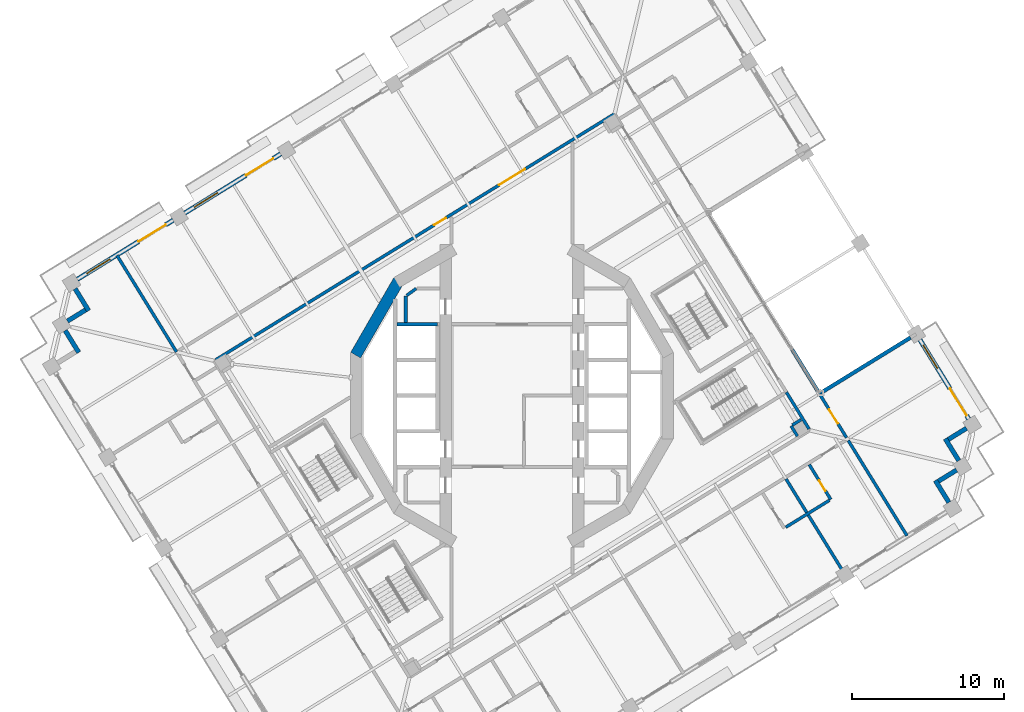
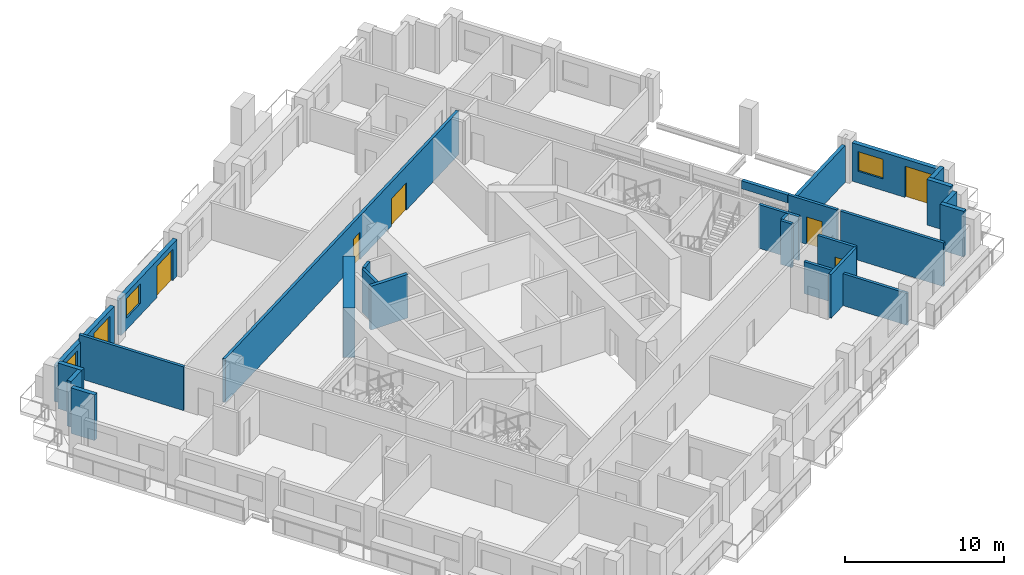
# One storey, part 10 of 21: 26 walls, 7 doors, 3 windows, 10 openings.
"""IFC4 building model written with IfcOpenShell, lengths in metres."""

from ifc_helpers import new_model, si_unit, direction, frame, frame_2d, origin, place, context, subcontext, project, spatial, rectangle, extrude, material, layer, layer_set, type_object, element, fill, save


model = new_model("IFC4")

# Units and contexts
model_context = context("Model", 3, precision=1e-05, world=origin(), true_north=direction((0.0, 1.0)))
body_context = subcontext(model_context, "Body", "Model", "MODEL_VIEW")
ifc_project = project(units=[si_unit("LENGTHUNIT", "METRE"), si_unit("AREAUNIT", "SQUARE_METRE"), si_unit("VOLUMEUNIT", "CUBIC_METRE"), si_unit("PLANEANGLEUNIT", "RADIAN"), si_unit("MASSUNIT", "GRAM", prefix="KILO")], contexts=[model_context])

# Site, building, storey
site_placement = place(None, origin())
site = spatial("IfcSite", under=ifc_project, at=site_placement, CompositionType="ELEMENT")
building_placement = place(site_placement, origin())
building = spatial("IfcBuilding", under=site, at=building_placement, Name="Cantera Rosa Tower", CompositionType="ELEMENT")
storey_placement = place(building_placement, frame((0.0, 0.0, 185.60009765625)))
storey = spatial("IfcBuildingStorey", under=building, at=storey_placement, Name="L41", CompositionType="ELEMENT", Elevation=185.60009765625)

# Wall, openings, doors
ifc_material_1 = material(Name="Gypsum board partition")
ifc_layer_1 = layer(ifc_material_1, 0.199951171875)
ifc_layer_set_1 = layer_set([ifc_layer_1], Name="CORRIDOR WALL 200 H3350")
wall_type_1 = type_object("IfcWallType", Name="CORRIDOR WALL 200 H3350", PredefinedType="PARTITIONING", material=ifc_layer_set_1)
wall_1_placement = place(storey_placement, frame((6.76123046875, 18.563232421875, 0.0), z_axis=(0.0, 0.0, 1.0), x_axis=(-0.851115762051, -0.524978056292, 0.0)))
wall_1 = element("IfcWall", 1, at=wall_1_placement, inside=storey, type_object=wall_type_1, Name="CORRIDOR WALL L41-075", PredefinedType="PARTITIONING", context=body_context, shape_type="SweptSolid", body=[
    extrude(rectangle(XDim=30.879638671875, YDim=0.199951171875, at=frame_2d((15.43994140625, 0.0))), origin(), (0.0, 0.0, 1.0), 3.349853515625),
])
opening_1_placement = place(wall_1_placement, frame((13.066650390625, 0.0, 0.0)))
opening_1 = element("IfcOpeningElement", 2, at=opening_1_placement, cuts=wall_1, Name="Opening L41-007", PredefinedType="OPENING", context=body_context, shape_type="SweptSolid", body=[
    extrude(rectangle(XDim=0.89990234375, YDim=2.10009765625, at=frame_2d((0.449951171875, 1.050048828125))), frame((0.0, 0.10986328125, 0.0), z_axis=(0.0, -1.0, 0.0), x_axis=(1.0, 0.0, 0.0)), (0.0, 0.0, 1.0), 0.219970703125),
])
opening_2_placement = place(wall_1_placement, frame((6.944091796875, 0.0, 0.0)))
opening_2 = element("IfcOpeningElement", 3, at=opening_2_placement, cuts=wall_1, Name="Opening L41-011", PredefinedType="OPENING", context=body_context, shape_type="SweptSolid", body=[
    extrude(rectangle(XDim=2.0, YDim=2.10009765625, at=frame_2d((1.0, 1.050048828125))), frame((0.0, 0.10986328125, 0.0), z_axis=(0.0, -1.0, 0.0), x_axis=(1.0, 0.0, 0.0)), (0.0, 0.0, 1.0), 0.219970703125),
])
ifc_material_2 = material(Name="Steel S355J2 (EN 10025-2)", Category="steel")
door_type_1 = type_object("IfcDoorType", Name="LOBBY SCREEN DOOR 2000x2100", OperationType="NOTDEFINED", PredefinedType="DOOR", material=ifc_material_2)
door_1_placement = place(opening_2_placement, origin())
door_1 = element("IfcDoor", 4, at=door_1_placement, inside=storey, type_object=door_type_1, Name="DOOR L41-011", OperationType="NOTDEFINED", OverallHeight=2.10009765625, OverallWidth=2.0, PredefinedType="DOOR", context=body_context, shape_type="SweptSolid", body=[
    extrude(rectangle(XDim=2.0, YDim=2.10009765625, at=frame_2d((1.0, 1.050048828125))), frame((0.0, 0.02490234375, 0.0), z_axis=(0.0, -1.0, 0.0), x_axis=(1.0, 0.0, 0.0)), (0.0, 0.0, 1.0), 0.050048828125),
])
fill(opening_2, door_1)
ifc_material_3 = material(Name="Timber door leaf", Category="wood")
door_type_2 = type_object("IfcDoorType", Name="SERVICE DOOR 900x2100", OperationType="NOTDEFINED", PredefinedType="DOOR", material=ifc_material_3)
door_2_placement = place(opening_1_placement, origin())
door_2 = element("IfcDoor", 5, at=door_2_placement, inside=storey, type_object=door_type_2, Name="DOOR L41-007", OperationType="NOTDEFINED", OverallHeight=2.10009765625, OverallWidth=0.89990234375, PredefinedType="DOOR", context=body_context, shape_type="SweptSolid", body=[
    extrude(rectangle(XDim=0.89990234375, YDim=2.10009765625, at=frame_2d((0.449951171875, 1.050048828125))), frame((0.0, 0.02490234375, 0.0), z_axis=(0.0, -1.0, 0.0), x_axis=(1.0, 0.0, 0.0)), (0.0, 0.0, 1.0), 0.050048828125),
])
fill(opening_1, door_2)

# Wall
wall_2_placement = place(storey_placement, frame((19.57080078125, -2.203857421875, 0.0), z_axis=(0.0, 0.0, 1.0), x_axis=(-0.525038681266, 0.851078364885, 0.0)))
element("IfcWall", 6, at=wall_2_placement, inside=storey, type_object=wall_type_1, Name="CORRIDOR WALL L41-109", PredefinedType="PARTITIONING", context=body_context, shape_type="SweptSolid", body=[
    extrude(rectangle(XDim=2.849853515625, YDim=0.199951171875, at=frame_2d((1.4248046875, 0.0))), origin(), (0.0, 0.0, 1.0), 3.349853515625),
])

# Wall, opening, door
wall_3_placement = place(storey_placement, frame((22.037109375, -2.77392578125, 0.0), z_axis=(0.0, 0.0, 1.0), x_axis=(-0.524928009261, 0.851146629608, 0.0)))
wall_3 = element("IfcWall", 7, at=wall_3_placement, inside=storey, type_object=wall_type_1, Name="CORRIDOR WALL L41-112", PredefinedType="PARTITIONING", context=body_context, shape_type="SweptSolid", body=[
    extrude(rectangle(XDim=3.52490234375, YDim=0.199951171875, at=frame_2d((1.762451171875, 0.0))), origin(), (0.0, 0.0, 1.0), 3.349853515625),
])
opening_3_placement = place(wall_3_placement, frame((1.090087890625, 0.0, 0.0)))
opening_3 = element("IfcOpeningElement", 8, at=opening_3_placement, cuts=wall_3, Name="Opening L41-023", PredefinedType="OPENING", context=body_context, shape_type="SweptSolid", body=[
    extrude(rectangle(XDim=1.10009765625, YDim=2.10009765625, at=frame_2d((0.550048828125, 1.050048828125))), frame((0.0, 0.10986328125, 0.0), z_axis=(0.0, -1.0, 0.0), x_axis=(1.0, 0.0, 0.0)), (0.0, 0.0, 1.0), 0.219970703125),
])
ifc_material_4 = material(Name="Timber door leaf", Category="wood")
door_type_3 = type_object("IfcDoorType", Name="ROOM DOOR 1100x2100", OperationType="NOTDEFINED", PredefinedType="DOOR", material=ifc_material_4)
door_3_placement = place(opening_3_placement, origin())
door_3 = element("IfcDoor", 9, at=door_3_placement, inside=storey, type_object=door_type_3, Name="DOOR L41-023", OperationType="NOTDEFINED", OverallHeight=2.10009765625, OverallWidth=1.10009765625, PredefinedType="DOOR", context=body_context, shape_type="SweptSolid", body=[
    extrude(rectangle(XDim=1.10009765625, YDim=2.10009765625, at=frame_2d((0.550048828125, 1.050048828125))), frame((0.0, 0.02490234375, 0.0), z_axis=(0.0, -1.0, 0.0), x_axis=(1.0, 0.0, 0.0)), (0.0, 0.0, 1.0), 0.050048828125),
])
fill(opening_3, door_3)

# Walls
ifc_material_5 = material(Name="Hollow clay masonry with cantera stone cladding", Category="masonry")
ifc_layer_2 = layer(ifc_material_5, 0.300048828125)
ifc_layer_set_2 = layer_set([ifc_layer_2], Name="EW-LOGGIA 300")
wall_type_2 = type_object("IfcWallType", Name="EW-LOGGIA 300", PredefinedType="SOLIDWALL", material=ifc_layer_set_2)
wall_4_placement = place(storey_placement, frame((-28.7802734375, 7.0390625, 0.0), z_axis=(0.0, 0.0, 1.0), x_axis=(0.524994468487, -0.851105638601, 0.0)))
element("IfcWall", 10, at=wall_4_placement, inside=storey, type_object=wall_type_2, Name="EN-L41-W13a", PredefinedType="SOLIDWALL", context=body_context, shape_type="SweptSolid", body=[
    extrude(rectangle(XDim=1.7001953125, YDim=0.300048828125, at=frame_2d((0.85009765625, 0.0))), origin(), (0.0, 0.0, 1.0), 3.5),
])
wall_5_placement = place(storey_placement, frame((-28.09423828125, 5.64111328125, 0.0), z_axis=(0.0, 0.0, 1.0), x_axis=(-0.851040987269, -0.525099264891, 0.0)))
element("IfcWall", 11, at=wall_5_placement, inside=storey, type_object=wall_type_2, Name="EN-L41-W13b", PredefinedType="SOLIDWALL", context=body_context, shape_type="SweptSolid", body=[
    extrude(rectangle(XDim=1.39990234375, YDim=0.300048828125, at=frame_2d((0.699951171875, 0.0))), origin(), (0.0, 0.0, 1.0), 3.5),
])
for number, where, z_axis, x_axis, name in (
    (12, (-29.4326171875, 4.286865234375, 0.0), (0.0, 0.0, 1.0), (0.524994468487, -0.851105638601, 0.0), "EN-L41-W14a"),
    (13, (28.7802734375, -7.0390625, 0.0), (0.0, 0.0, 1.0), (-0.524994468487, 0.851105638601, 0.0), "EN-L41-W27a"),
):
    element("IfcWall", number, at=place(storey_placement, frame(where, z_axis=z_axis, x_axis=x_axis)), inside=storey, type_object=wall_type_2, Name=name, PredefinedType="SOLIDWALL", context=body_context, shape_type="SweptSolid", body=[
        extrude(rectangle(XDim=1.7001953125, YDim=0.300048828125, at=frame_2d((0.85009765625, 0.0))), origin(), (0.0, 0.0, 1.0), 3.5),
    ])
wall_6_placement = place(storey_placement, frame((28.09423828125, -5.64111328125, 0.0), z_axis=(0.0, 0.0, 1.0), x_axis=(0.851040987269, 0.525099264891, 0.0)))
element("IfcWall", 14, at=wall_6_placement, inside=storey, type_object=wall_type_2, Name="EN-L41-W27b", PredefinedType="SOLIDWALL", context=body_context, shape_type="SweptSolid", body=[
    extrude(rectangle(XDim=1.39990234375, YDim=0.300048828125, at=frame_2d((0.699951171875, 0.0))), origin(), (0.0, 0.0, 1.0), 3.5),
])
wall_7_placement = place(storey_placement, frame((29.4326171875, -4.286865234375, 0.0), z_axis=(0.0, 0.0, 1.0), x_axis=(-0.524994468487, 0.851105638601, 0.0)))
element("IfcWall", 15, at=wall_7_placement, inside=storey, type_object=wall_type_2, Name="EN-L41-W28a", PredefinedType="SOLIDWALL", context=body_context, shape_type="SweptSolid", body=[
    extrude(rectangle(XDim=1.7001953125, YDim=0.300048828125, at=frame_2d((0.85009765625, 0.0))), origin(), (0.0, 0.0, 1.0), 3.5),
])
wall_8_placement = place(storey_placement, frame((28.74658203125, -2.888916015625, 0.0), z_axis=(0.0, 0.0, 1.0), x_axis=(0.851040987269, 0.525099264891, 0.0)))
element("IfcWall", 16, at=wall_8_placement, inside=storey, type_object=wall_type_2, Name="EN-L41-W28b", PredefinedType="SOLIDWALL", context=body_context, shape_type="SweptSolid", body=[
    extrude(rectangle(XDim=1.39990234375, YDim=0.300048828125, at=frame_2d((0.699951171875, 0.0))), origin(), (0.0, 0.0, 1.0), 3.5),
])

# Wall, openings, window, door
ifc_material_6 = material(Name="Hollow clay masonry with cantera stone cladding", Category="masonry")
ifc_layer_3 = layer(ifc_material_6, 0.300048828125)
ifc_layer_set_3 = layer_set([ifc_layer_3], Name="EW-LOGGIA 300 H2820")
wall_type_3 = type_object("IfcWallType", Name="EW-LOGGIA 300 H2820", PredefinedType="SOLIDWALL", material=ifc_layer_set_3)
wall_9_placement = place(storey_placement, frame((-15.23681640625, 15.92138671875, 0.0), z_axis=(0.0, 0.0, 1.0), x_axis=(-0.85112578684, -0.524961803349, 0.0)))
wall_9 = element("IfcWall", 17, at=wall_9_placement, inside=storey, type_object=wall_type_3, Name="EN-L41-W11", PredefinedType="SOLIDWALL", context=body_context, shape_type="SweptSolid", body=[
    extrude(rectangle(XDim=7.420166015625, YDim=0.300048828125, at=frame_2d((3.7099609375, 0.0))), origin(), (0.0, 0.0, 1.0), 2.81982421875),
])
opening_4_placement = place(wall_9_placement, frame((0.580078125, 0.0, 0.0)))
opening_4 = element("IfcOpeningElement", 18, at=opening_4_placement, cuts=wall_9, Name="Opening L41-TD13", PredefinedType="OPENING", context=body_context, shape_type="SweptSolid", body=[
    extrude(rectangle(XDim=2.10009765625, YDim=2.39990234375, at=frame_2d((1.050048828125, 1.199951171875))), frame((0.0, 0.159912109375, 0.0), z_axis=(0.0, -1.0, 0.0), x_axis=(1.0, 0.0, 0.0)), (0.0, 0.0, 1.0), 0.320068359375),
])
opening_5_placement = place(wall_9_placement, frame((4.889892578125, 0.0, 0.89990234375)))
opening_5 = element("IfcOpeningElement", 19, at=opening_5_placement, cuts=wall_9, Name="Opening L41-W14", PredefinedType="OPENING", context=body_context, shape_type="SweptSolid", body=[
    extrude(rectangle(XDim=1.800048828125, YDim=1.5, at=frame_2d((0.89990234375, 0.75))), frame((0.0, 0.159912109375, 0.0), z_axis=(0.0, -1.0, 0.0), x_axis=(1.0, 0.0, 0.0)), (0.0, 0.0, 1.0), 0.320068359375),
])
ifc_material_7 = material(Name="Aluminium frame with clear glass", Category="aluminium")
window_type = type_object("IfcWindowType", Name="Hotel room window 1800x1500", PartitioningType="DOUBLE_PANEL_VERTICAL", PredefinedType="WINDOW", material=ifc_material_7)
window_1_placement = place(opening_5_placement, origin())
window_1 = element("IfcWindow", 20, at=window_1_placement, inside=storey, type_object=window_type, Name="WINDOW L41-W14", OverallHeight=1.5, OverallWidth=1.800048828125, PartitioningType="SINGLE_PANEL", PredefinedType="WINDOW", context=body_context, shape_type="SweptSolid", body=[
    extrude(rectangle(XDim=1.800048828125, YDim=1.5, at=frame_2d((0.89990234375, 0.75))), frame((0.0, 0.030029296875, 0.0), z_axis=(0.0, -1.0, 0.0), x_axis=(1.0, 0.0, 0.0)), (0.0, 0.0, 1.0), 0.06005859375),
])
fill(opening_5, window_1)
ifc_material_8 = material(Name="Aluminium frame with clear glass", Category="aluminium")
door_type_4 = type_object("IfcDoorType", Name="TD-H 2100x2400", OperationType="NOTDEFINED", PredefinedType="DOOR", material=ifc_material_8)
door_4_placement = place(opening_4_placement, origin())
door_4 = element("IfcDoor", 21, at=door_4_placement, inside=storey, type_object=door_type_4, Name="LOGGIA DOOR L41-TD13", OperationType="SLIDING_TO_LEFT", OverallHeight=2.39990234375, OverallWidth=2.10009765625, PredefinedType="DOOR", context=body_context, shape_type="SweptSolid", body=[
    extrude(rectangle(XDim=2.10009765625, YDim=2.39990234375, at=frame_2d((1.050048828125, 1.199951171875))), frame((0.0, 0.02490234375, 0.0), z_axis=(0.0, -1.0, 0.0), x_axis=(1.0, 0.0, 0.0)), (0.0, 0.0, 1.0), 0.050048828125),
])
fill(opening_4, door_4)

wall_10_placement = place(storey_placement, frame((-22.318115234375, 11.5537109375, 0.0), z_axis=(0.0, 0.0, 1.0), x_axis=(-0.851111085575, -0.524985637909, 0.0)))
wall_10 = element("IfcWall", 22, at=wall_10_placement, inside=storey, type_object=wall_type_3, Name="EN-L41-W12", PredefinedType="SOLIDWALL", context=body_context, shape_type="SweptSolid", body=[
    extrude(rectangle(XDim=7.420166015625, YDim=0.300048828125, at=frame_2d((3.7099609375, 0.0))), origin(), (0.0, 0.0, 1.0), 2.81982421875),
])
opening_6_placement = place(wall_10_placement, frame((0.580078125, 0.0, 0.0)))
opening_6 = element("IfcOpeningElement", 23, at=opening_6_placement, cuts=wall_10, Name="Opening L41-TD15", PredefinedType="OPENING", context=body_context, shape_type="SweptSolid", body=[
    extrude(rectangle(XDim=2.10009765625, YDim=2.39990234375, at=frame_2d((1.050048828125, 1.199951171875))), frame((0.0, 0.159912109375, 0.0), z_axis=(0.0, -1.0, 0.0), x_axis=(1.0, 0.0, 0.0)), (0.0, 0.0, 1.0), 0.320068359375),
])
opening_7_placement = place(wall_10_placement, frame((4.889892578125, 0.0, 0.89990234375)))
opening_7 = element("IfcOpeningElement", 24, at=opening_7_placement, cuts=wall_10, Name="Opening L41-W16", PredefinedType="OPENING", context=body_context, shape_type="SweptSolid", body=[
    extrude(rectangle(XDim=1.800048828125, YDim=1.5, at=frame_2d((0.89990234375, 0.75))), frame((0.0, 0.159912109375, 0.0), z_axis=(0.0, -1.0, 0.0), x_axis=(1.0, 0.0, 0.0)), (0.0, 0.0, 1.0), 0.320068359375),
])
window_2_placement = place(opening_7_placement, origin())
window_2 = element("IfcWindow", 25, at=window_2_placement, inside=storey, type_object=window_type, Name="WINDOW L41-W16", OverallHeight=1.5, OverallWidth=1.800048828125, PartitioningType="SINGLE_PANEL", PredefinedType="WINDOW", context=body_context, shape_type="SweptSolid", body=[
    extrude(rectangle(XDim=1.800048828125, YDim=1.5, at=frame_2d((0.89990234375, 0.75))), frame((0.0, 0.030029296875, 0.0), z_axis=(0.0, -1.0, 0.0), x_axis=(1.0, 0.0, 0.0)), (0.0, 0.0, 1.0), 0.06005859375),
])
fill(opening_7, window_2)
door_5_placement = place(opening_6_placement, origin())
door_5 = element("IfcDoor", 26, at=door_5_placement, inside=storey, type_object=door_type_4, Name="LOGGIA DOOR L41-TD15", OperationType="SLIDING_TO_LEFT", OverallHeight=2.39990234375, OverallWidth=2.10009765625, PredefinedType="DOOR", context=body_context, shape_type="SweptSolid", body=[
    extrude(rectangle(XDim=2.10009765625, YDim=2.39990234375, at=frame_2d((1.050048828125, 1.199951171875))), frame((0.0, 0.02490234375, 0.0), z_axis=(0.0, -1.0, 0.0), x_axis=(1.0, 0.0, 0.0)), (0.0, 0.0, 1.0), 0.050048828125),
])
fill(opening_6, door_5)

ifc_material_9 = material(Name="Hollow clay masonry with cantera stone cladding", Category="masonry")
ifc_layer_4 = layer(ifc_material_9, 0.300048828125)
ifc_layer_set_4 = layer_set([ifc_layer_4], Name="EW-LOGGIA 300 H2940")
wall_type_4 = type_object("IfcWallType", Name="EW-LOGGIA 300 H2940", PredefinedType="SOLIDWALL", material=ifc_layer_set_4)
wall_11_placement = place(storey_placement, frame((30.084716796875, -1.53466796875, 0.0), z_axis=(0.0, 0.0, 1.0), x_axis=(-0.524987447654, 0.851109969279, 0.0)))
wall_11 = element("IfcWall", 27, at=wall_11_placement, inside=storey, type_object=wall_type_4, Name="EN-L41-W01", PredefinedType="SOLIDWALL", context=body_context, shape_type="SweptSolid", body=[
    extrude(rectangle(XDim=6.119873046875, YDim=0.300048828125, at=frame_2d((3.06005859375, 0.0))), origin(), (0.0, 0.0, 1.0), 2.93994140625),
])
opening_8_placement = place(wall_11_placement, frame((0.2548828125, 0.0, 0.0)))
opening_8 = element("IfcOpeningElement", 28, at=opening_8_placement, cuts=wall_11, Name="Opening L41-TD01", PredefinedType="OPENING", context=body_context, shape_type="SweptSolid", body=[
    extrude(rectangle(XDim=2.10009765625, YDim=2.39990234375, at=frame_2d((1.050048828125, 1.199951171875))), frame((0.0, 0.159912109375, 0.0), z_axis=(0.0, -1.0, 0.0), x_axis=(1.0, 0.0, 0.0)), (0.0, 0.0, 1.0), 0.320068359375),
])
opening_9_placement = place(wall_11_placement, frame((3.9150390625, 0.0, 0.89990234375)))
opening_9 = element("IfcOpeningElement", 29, at=opening_9_placement, cuts=wall_11, Name="Opening L41-W02", PredefinedType="OPENING", context=body_context, shape_type="SweptSolid", body=[
    extrude(rectangle(XDim=1.800048828125, YDim=1.5, at=frame_2d((0.89990234375, 0.75))), frame((0.0, 0.159912109375, 0.0), z_axis=(0.0, -1.0, 0.0), x_axis=(1.0, 0.0, 0.0)), (0.0, 0.0, 1.0), 0.320068359375),
])
window_3_placement = place(opening_9_placement, origin())
window_3 = element("IfcWindow", 30, at=window_3_placement, inside=storey, type_object=window_type, Name="WINDOW L41-W02", OverallHeight=1.5, OverallWidth=1.800048828125, PartitioningType="SINGLE_PANEL", PredefinedType="WINDOW", context=body_context, shape_type="SweptSolid", body=[
    extrude(rectangle(XDim=1.800048828125, YDim=1.5, at=frame_2d((0.89990234375, 0.75))), frame((0.0, 0.030029296875, 0.0), z_axis=(0.0, -1.0, 0.0), x_axis=(1.0, 0.0, 0.0)), (0.0, 0.0, 1.0), 0.06005859375),
])
fill(opening_9, window_3)
door_6_placement = place(opening_8_placement, origin())
door_6 = element("IfcDoor", 31, at=door_6_placement, inside=storey, type_object=door_type_4, Name="LOGGIA DOOR L41-TD01", OperationType="SLIDING_TO_LEFT", OverallHeight=2.39990234375, OverallWidth=2.10009765625, PredefinedType="DOOR", context=body_context, shape_type="SweptSolid", body=[
    extrude(rectangle(XDim=2.10009765625, YDim=2.39990234375, at=frame_2d((1.050048828125, 1.199951171875))), frame((0.0, 0.02490234375, 0.0), z_axis=(0.0, -1.0, 0.0), x_axis=(1.0, 0.0, 0.0)), (0.0, 0.0, 1.0), 0.050048828125),
])
fill(opening_8, door_6)

# Walls
ifc_material_10 = material(Name="Concrete C40/50", Category="concrete")
ifc_layer_5 = layer(ifc_material_10, 0.25)
ifc_layer_set_5 = layer_set([ifc_layer_5], Name="EW-POCKET CHEEK 250 H2820")
wall_type_5 = type_object("IfcWallType", Name="EW-POCKET CHEEK 250 H2820", PredefinedType="SOLIDWALL", material=ifc_layer_set_5)
wall_12_placement = place(storey_placement, frame((26.252685546875, 3.82080078125, 0.0), z_axis=(0.0, 0.0, 1.0), x_axis=(-0.851127184208, -0.524959537777, 0.0)))
element("IfcWall", 32, at=wall_12_placement, inside=storey, type_object=wall_type_5, Name="POCKET CHEEK A L41", PredefinedType="SOLIDWALL", context=body_context, shape_type="SweptSolid", body=[
    extrude(rectangle(XDim=6.949951171875, YDim=0.25, at=frame_2d((3.47509765625, 0.0))), origin(), (0.0, 0.0, 1.0), 2.81982421875),
])
ifc_material_11 = material(Name="Hollow clay masonry with cantera stone cladding", Category="masonry")
ifc_layer_6 = layer(ifc_material_11, 0.25)
ifc_layer_set_6 = layer_set([ifc_layer_6], Name="EW-POCKET REAR 250")
wall_type_6 = type_object("IfcWallType", Name="EW-POCKET REAR 250", PredefinedType="SOLIDWALL", material=ifc_layer_set_6)
wall_13_placement = place(storey_placement, frame((20.186767578125, 0.226318359375, 2.741943359375), z_axis=(0.0, 0.0, 1.0), x_axis=(-0.524983741504, 0.85111225532, 0.0)))
element("IfcWall", 33, at=wall_13_placement, inside=storey, type_object=wall_type_6, Name="POCKET SPANDREL L41-1", PredefinedType="SOLIDWALL", context=body_context, shape_type="SweptSolid", body=[
    extrude(rectangle(XDim=3.287841796875, YDim=0.25, at=frame_2d((1.64404296875, 0.0))), origin(), (0.0, 0.0, 1.0), 0.60791015625),
])
ifc_material_12 = material(Name="Gypsum board partition")
ifc_layer_7 = layer(ifc_material_12, 0.199951171875)
ifc_layer_set_7 = layer_set([ifc_layer_7], Name="PARTITION 200 H3350")
wall_type_7 = type_object("IfcWallType", Name="PARTITION 200 H3350", PredefinedType="PARTITIONING", material=ifc_layer_set_7)
wall_14_placement = place(storey_placement, frame((-22.10009765625, 2.876220703125, 0.0), z_axis=(0.0, 0.0, 1.0), x_axis=(-0.524992491226, 0.851106858247, 0.0)))
element("IfcWall", 34, at=wall_14_placement, inside=storey, type_object=wall_type_7, Name="PARTITION L41-002", PredefinedType="PARTITIONING", context=body_context, shape_type="SweptSolid", body=[
    extrude(rectangle(XDim=7.469970703125, YDim=0.199951171875, at=frame_2d((3.73486328125, 0.0))), origin(), (0.0, 0.0, 1.0), 3.349853515625),
])
wall_15_placement = place(storey_placement, frame((-7.0, 4.824951171875, 0.0), z_axis=(0.0, 0.0, 1.0), x_axis=(0.0, 1.0, 0.0)))
element("IfcWall", 35, at=wall_15_placement, inside=storey, type_object=wall_type_7, Name="PARTITION L41-036", PredefinedType="PARTITIONING", context=body_context, shape_type="SweptSolid", body=[
    extrude(rectangle(XDim=1.72509765625, YDim=0.199951171875, at=frame_2d((0.862548828125, 0.0))), origin(), (0.0, 0.0, 1.0), 3.349853515625),
])
wall_16_placement = place(storey_placement, frame((-6.935302734375, 6.59716796875, 0.0), z_axis=(0.0, 0.0, 1.0), x_axis=(0.808227862651, 0.588869868506, 0.0)))
element("IfcWall", 36, at=wall_16_placement, inside=storey, type_object=wall_type_7, Name="PARTITION L41-037", PredefinedType="PARTITIONING", context=body_context, shape_type="SweptSolid", body=[
    extrude(rectangle(XDim=0.76904296875, YDim=0.199951171875, at=frame_2d((0.384521484375, 0.0))), origin(), (0.0, 0.0, 1.0), 3.349853515625),
])
wall_17_placement = place(storey_placement, frame((18.384765625, -1.99560546875, 0.0), z_axis=(0.0, 0.0, 1.0), x_axis=(0.524914498045, -0.851154962238, 0.0)))
element("IfcWall", 37, at=wall_17_placement, inside=storey, type_object=wall_type_7, Name="PARTITION L41-105", PredefinedType="PARTITIONING", context=body_context, shape_type="SweptSolid", body=[
    extrude(rectangle(XDim=0.800048828125, YDim=0.199951171875, at=frame_2d((0.39990234375, 0.0))), origin(), (0.0, 0.0, 1.0), 3.349853515625),
])
wall_18_placement = place(storey_placement, frame((19.048583984375, -1.5859375, 0.0), z_axis=(0.0, 0.0, 1.0), x_axis=(-0.850930166337, -0.525278832638, 0.0)))
element("IfcWall", 38, at=wall_18_placement, inside=storey, type_object=wall_type_7, Name="PARTITION L41-106", PredefinedType="PARTITIONING", context=body_context, shape_type="SweptSolid", body=[
    extrude(rectangle(XDim=0.679931640625, YDim=0.199951171875, at=frame_2d((0.33984375, 0.0))), origin(), (0.0, 0.0, 1.0), 3.349853515625),
])

# Wall, opening, door
wall_19_placement = place(storey_placement, frame((19.58251953125, -4.546630859375, 0.0), z_axis=(0.0, 0.0, 1.0), x_axis=(0.524909448059, -0.851158076586, 0.0)))
wall_19 = element("IfcWall", 39, at=wall_19_placement, inside=storey, type_object=wall_type_7, Name="PARTITION L41-108", PredefinedType="PARTITIONING", context=body_context, shape_type="SweptSolid", body=[
    extrude(rectangle(XDim=2.699951171875, YDim=0.199951171875, at=frame_2d((1.35009765625, 0.0))), origin(), (0.0, 0.0, 1.0), 3.349853515625),
])
opening_10_placement = place(wall_19_placement, frame((1.236083984375, 0.0, 0.0)))
opening_10 = element("IfcOpeningElement", 40, at=opening_10_placement, cuts=wall_19, Name="Opening L41-042", PredefinedType="OPENING", context=body_context, shape_type="SweptSolid", body=[
    extrude(rectangle(XDim=0.800048828125, YDim=2.10009765625, at=frame_2d((0.39990234375, 1.050048828125))), frame((0.0, 0.10986328125, 0.0), z_axis=(0.0, -1.0, 0.0), x_axis=(1.0, 0.0, 0.0)), (0.0, 0.0, 1.0), 0.219970703125),
])
ifc_material_13 = material(Name="Timber door leaf", Category="wood")
door_type_5 = type_object("IfcDoorType", Name="BATHROOM DOOR 800x2100", OperationType="NOTDEFINED", PredefinedType="DOOR", material=ifc_material_13)
door_7_placement = place(opening_10_placement, origin())
door_7 = element("IfcDoor", 41, at=door_7_placement, inside=storey, type_object=door_type_5, Name="DOOR L41-042", OperationType="NOTDEFINED", OverallHeight=2.10009765625, OverallWidth=0.800048828125, PredefinedType="DOOR", context=body_context, shape_type="SweptSolid", body=[
    extrude(rectangle(XDim=0.800048828125, YDim=2.10009765625, at=frame_2d((0.39990234375, 1.050048828125))), frame((0.0, 0.02490234375, 0.0), z_axis=(0.0, -1.0, 0.0), x_axis=(1.0, 0.0, 0.0)), (0.0, 0.0, 1.0), 0.050048828125),
])
fill(opening_10, door_7)

# Walls
wall_20_placement = place(storey_placement, frame((20.914794921875, -6.897216796875, 0.0), z_axis=(0.0, 0.0, 1.0), x_axis=(-0.851132144364, -0.524951495692, 0.0)))
element("IfcWall", 42, at=wall_20_placement, inside=storey, type_object=wall_type_7, Name="PARTITION L41-111", PredefinedType="PARTITIONING", context=body_context, shape_type="SweptSolid", body=[
    extrude(rectangle(XDim=3.380126953125, YDim=0.199951171875, at=frame_2d((1.68994140625, 0.0))), origin(), (0.0, 0.0, 1.0), 3.349853515625),
])
ifc_material_14 = material(Name="Gypsum board partition")
ifc_layer_8 = layer(ifc_material_14, 0.199951171875)
ifc_layer_set_8 = layer_set([ifc_layer_8], Name="PARTY WALL 200 H2450")
wall_type_8 = type_object("IfcWallType", Name="PARTY WALL 200 H2450", PredefinedType="PARTITIONING", material=ifc_layer_set_8)
wall_21_placement = place(storey_placement, frame((18.05029296875, -5.49169921875, 0.0), z_axis=(0.0, 0.0, 1.0), x_axis=(0.52498429839, -0.851111911821, 0.0)))
element("IfcWall", 43, at=wall_21_placement, inside=storey, type_object=wall_type_8, Name="PARTY WALL L41-103", PredefinedType="PARTITIONING", context=body_context, shape_type="SweptSolid", body=[
    extrude(rectangle(XDim=7.3701171875, YDim=0.199951171875, at=frame_2d((3.68505859375, 0.0))), origin(), (0.0, 0.0, 1.0), 2.449951171875),
])
ifc_material_15 = material(Name="Gypsum board partition")
ifc_layer_9 = layer(ifc_material_15, 0.199951171875)
ifc_layer_set_9 = layer_set([ifc_layer_9], Name="PARTY WALL 200 H3350")
wall_type_9 = type_object("IfcWallType", Name="PARTY WALL 200 H3350", PredefinedType="PARTITIONING", material=ifc_layer_set_9)
wall_22_placement = place(storey_placement, frame((26.021728515625, -9.23388671875, 0.0), z_axis=(0.0, 0.0, 1.0), x_axis=(-0.52498429839, 0.851111911821, 0.0)))
element("IfcWall", 44, at=wall_22_placement, inside=storey, type_object=wall_type_9, Name="PARTY WALL L41-117", PredefinedType="PARTITIONING", context=body_context, shape_type="SweptSolid", body=[
    extrude(rectangle(XDim=7.3701171875, YDim=0.199951171875, at=frame_2d((3.68505859375, 0.0))), origin(), (0.0, 0.0, 1.0), 3.349853515625),
])
ifc_material_16 = material(Name="Concrete C60/75", Category="concrete")
ifc_layer_10 = layer(ifc_material_16, 0.75)
ifc_layer_set_10 = layer_set([ifc_layer_10], Name="RC CORE WALL 750 C60/75")
wall_type_10 = type_object("IfcWallType", Name="RC CORE WALL 750 C60/75", PredefinedType="SHEAR", material=ifc_layer_set_10)
wall_23_placement = place(storey_placement, frame((-10.300537109375, 2.659423828125, 0.0), z_axis=(0.0, 0.0, 1.0), x_axis=(0.500021842983, 0.866012792365, 0.0)))
element("IfcWall", 45, at=wall_23_placement, inside=storey, type_object=wall_type_10, Name="CW-W4 L41", PredefinedType="SHEAR", context=body_context, shape_type="SweptSolid", body=[
    extrude(rectangle(XDim=5.694091796875, YDim=0.75, at=frame_2d((2.84716796875, 0.0))), origin(), (0.0, 0.0, 1.0), 3.7998046875),
])
ifc_material_17 = material(Name="Masonry blockwork", Category="masonry")
ifc_layer_11 = layer(ifc_material_17, 0.25)
ifc_layer_set_11 = layer_set([ifc_layer_11], Name="SHAFT WALL 250 H3350")
wall_type_11 = type_object("IfcWallType", Name="SHAFT WALL 250 H3350", PredefinedType="SOLIDWALL", material=ifc_layer_set_11)
wall_24_placement = place(storey_placement, frame((-7.574951171875, 4.699951171875, 0.0), z_axis=(0.0, 0.0, 1.0), x_axis=(1.0, 0.0, 0.0)))
element("IfcWall", 46, at=wall_24_placement, inside=storey, type_object=wall_type_11, Name="SHAFT WALL L41-029", PredefinedType="SOLIDWALL", context=body_context, shape_type="SweptSolid", body=[
    extrude(rectangle(XDim=2.675048828125, YDim=0.25, at=frame_2d((1.33740234375, 0.0))), origin(), (0.0, 0.0, 1.0), 3.349853515625),
])

save(model, "model.ifc")
